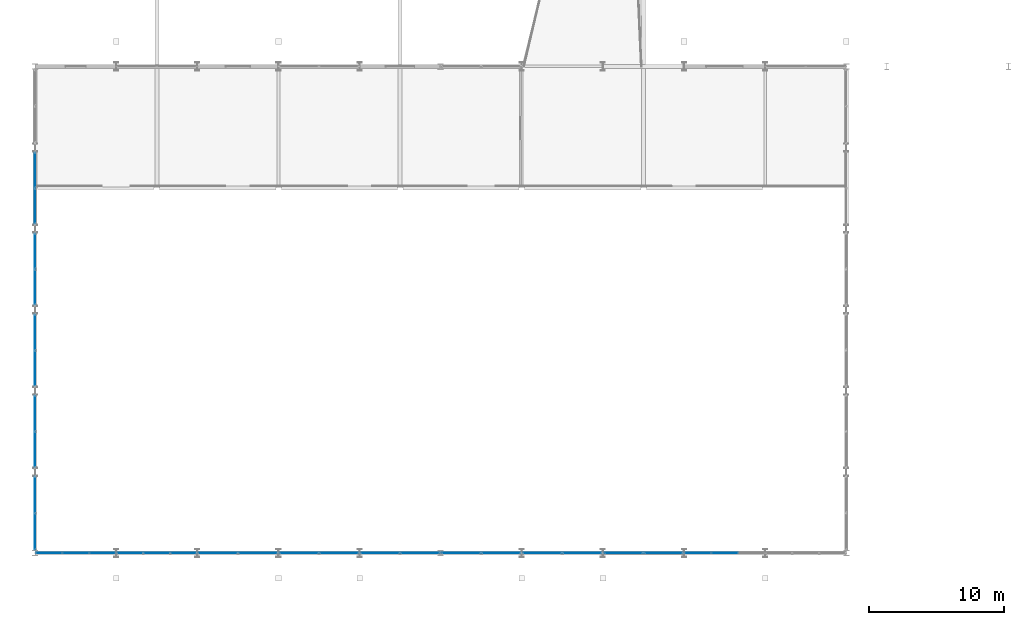
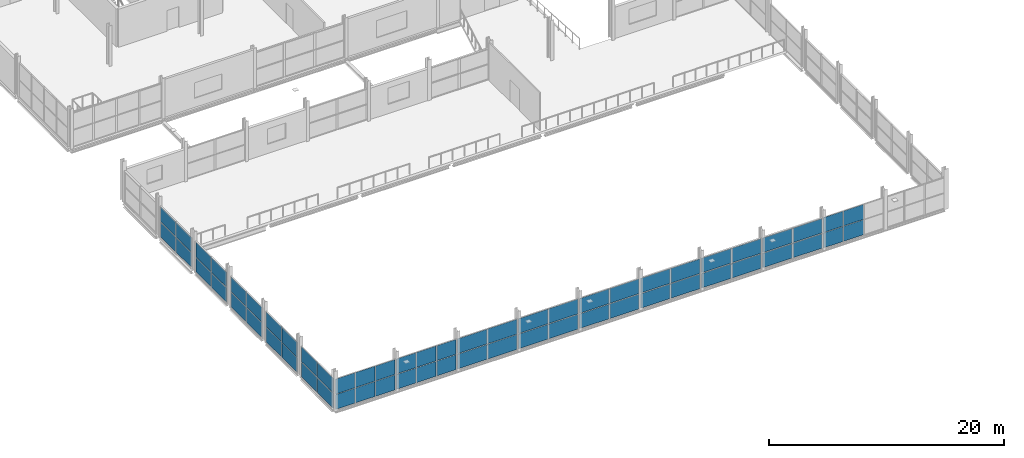
# One storey, part 101 of 135: 60 plates, 14 elements without a shape of their own.
"""IFC4 building model written with IfcOpenShell, lengths in metres."""

from ifc_helpers import new_model, si_unit, direction, frame, origin, origin_2d, place, context, subcontext, project, spatial, rectangle, extrude, material, layer, layer_set, type_object, element, aggregate, save


model = new_model("IFC4")

# Units and contexts
model_context = context("Model", 3, precision=1e-05, world=origin(), true_north=direction((0.0, 1.0)))
body_context = subcontext(model_context, "Body", "Model", "MODEL_VIEW")
ifc_project = project(units=[si_unit("LENGTHUNIT", "METRE"), si_unit("AREAUNIT", "SQUARE_METRE"), si_unit("VOLUMEUNIT", "CUBIC_METRE"), si_unit("PLANEANGLEUNIT", "RADIAN"), si_unit("MASSUNIT", "GRAM", prefix="KILO")], contexts=[model_context])

# Site, building, storey
site_placement = place(None, origin())
site = spatial("IfcSite", under=ifc_project, at=site_placement, CompositionType="ELEMENT")
building_placement = place(site_placement, origin())
building = spatial("IfcBuilding", under=site, at=building_placement, Name="Deido Ridge Mobility Hub", CompositionType="ELEMENT")
storey_placement = place(building_placement, frame((0.0, 0.0, 4.199951171875)))
storey = spatial("IfcBuildingStorey", under=building, at=storey_placement, Name="L01", CompositionType="ELEMENT", Elevation=4.199951171875)

# Curtain wall, plates
ifc_material_1 = material(Name="Anodised aluminium EN AW-6063 T6", Category="aluminium")
ifc_layer_1 = layer(ifc_material_1, 0.1650390625, Name="Anodised aluminium EN AW-6063 T6")
ifc_layer_set_1 = layer_set([ifc_layer_1], Name="Anodised aluminium EN AW-6063 T6")
curtain_wall_type_1 = type_object("IfcCurtainWallType", Name="CW-UF-1", PredefinedType="USERDEFINED", material=ifc_layer_set_1)
curtain_wall_1_placement = place(storey_placement, origin())
curtain_wall_1 = element("IfcCurtainWall", 1, at=curtain_wall_1_placement, inside=storey, type_object=curtain_wall_type_1, Name="Unitised curtain wall CW1", ObjectType="UNITISED FACADE", PredefinedType="USERDEFINED")
ifc_material_2 = material(Name="Laminated solar-control low-E glass", Category="glass")
ifc_layer_2 = layer(ifc_material_2, 0.02587890625, Name="Laminated solar-control low-E glass")
ifc_layer_set_2 = layer_set([ifc_layer_2], Name="Laminated solar-control low-E glass")
plate_type_1 = type_object("IfcPlateType", Name="PLT-CWP-26", PredefinedType="CURTAIN_PANEL", material=ifc_layer_set_2)
plate_1_placement = place(storey_placement, frame((1.021240234375, 0.0, 0.0498046875), z_axis=(0.0, 0.0, 1.0), x_axis=(1.0, 0.0, 0.0)))
plate_1 = element("IfcPlate", 2, at=plate_1_placement, type_object=plate_type_1, Name="CW1 panel 1.1", PredefinedType="CURTAIN_PANEL", context=body_context, shape_type="SweptSolid", body=[
    extrude(rectangle(XDim=1.91845703125, YDim=0.02587890625, at=origin_2d()), origin(), (0.0, 0.0, 1.0), 1.550048828125),
])
plate_2_placement = place(storey_placement, frame((1.021240234375, 0.0, 1.64990234375), z_axis=(0.0, 0.0, 1.0), x_axis=(1.0, 0.0, 0.0)))
plate_2 = element("IfcPlate", 3, at=plate_2_placement, type_object=plate_type_1, Name="CW1 panel 1.2", PredefinedType="CURTAIN_PANEL", context=body_context, shape_type="SweptSolid", body=[
    extrude(rectangle(XDim=1.91845703125, YDim=0.02587890625, at=origin_2d()), origin(), (0.0, 0.0, 1.0), 1.550048828125),
])
plate_3_placement = place(storey_placement, frame((3.002197265625, 0.0, 0.0498046875), z_axis=(0.0, 0.0, 1.0), x_axis=(1.0, 0.0, 0.0)))
plate_3 = element("IfcPlate", 4, at=plate_3_placement, type_object=plate_type_1, Name="CW1 panel 2.1", PredefinedType="CURTAIN_PANEL", context=body_context, shape_type="SweptSolid", body=[
    extrude(rectangle(XDim=1.943359375, YDim=0.02587890625, at=origin_2d()), origin(), (0.0, 0.0, 1.0), 1.550048828125),
])
plate_4_placement = place(storey_placement, frame((3.002197265625, 0.0, 1.64990234375), z_axis=(0.0, 0.0, 1.0), x_axis=(1.0, 0.0, 0.0)))
plate_4 = element("IfcPlate", 5, at=plate_4_placement, type_object=plate_type_1, Name="CW1 panel 2.2", PredefinedType="CURTAIN_PANEL", context=body_context, shape_type="SweptSolid", body=[
    extrude(rectangle(XDim=1.943359375, YDim=0.02587890625, at=origin_2d()), origin(), (0.0, 0.0, 1.0), 1.550048828125),
])
plate_5_placement = place(storey_placement, frame((4.983154296875, 0.0, 0.0498046875), z_axis=(0.0, 0.0, 1.0), x_axis=(1.0, 0.0, 0.0)))
plate_5 = element("IfcPlate", 6, at=plate_5_placement, type_object=plate_type_1, Name="CW1 panel 3.1", PredefinedType="CURTAIN_PANEL", context=body_context, shape_type="SweptSolid", body=[
    extrude(rectangle(XDim=1.91845703125, YDim=0.02587890625, at=origin_2d()), origin(), (0.0, 0.0, 1.0), 1.550048828125),
])
plate_6_placement = place(storey_placement, frame((4.983154296875, 0.0, 1.64990234375), z_axis=(0.0, 0.0, 1.0), x_axis=(1.0, 0.0, 0.0)))
plate_6 = element("IfcPlate", 7, at=plate_6_placement, type_object=plate_type_1, Name="CW1 panel 3.2", PredefinedType="CURTAIN_PANEL", context=body_context, shape_type="SweptSolid", body=[
    extrude(rectangle(XDim=1.91845703125, YDim=0.02587890625, at=origin_2d()), origin(), (0.0, 0.0, 1.0), 1.550048828125),
])
aggregate(curtain_wall_1, [plate_1, plate_2, plate_3, plate_4, plate_5, plate_6])

curtain_wall_2_placement = place(storey_placement, origin())
curtain_wall_2 = element("IfcCurtainWall", 8, at=curtain_wall_2_placement, inside=storey, type_object=curtain_wall_type_1, Name="Unitised curtain wall CW1", ObjectType="UNITISED FACADE", PredefinedType="USERDEFINED")
plate_7_placement = place(storey_placement, frame((49.017578125, 0.0, 0.0498046875), z_axis=(0.0, 0.0, 1.0), x_axis=(1.0, 0.0, 0.0)))
plate_7 = element("IfcPlate", 9, at=plate_7_placement, type_object=plate_type_1, Name="CW1 panel 1.1", PredefinedType="CURTAIN_PANEL", context=body_context, shape_type="SweptSolid", body=[
    extrude(rectangle(XDim=1.919921875, YDim=0.02587890625, at=origin_2d()), origin(), (0.0, 0.0, 1.0), 1.550048828125),
])
plate_8_placement = place(storey_placement, frame((49.017578125, 0.0, 1.64990234375), z_axis=(0.0, 0.0, 1.0), x_axis=(1.0, 0.0, 0.0)))
plate_8 = element("IfcPlate", 10, at=plate_8_placement, type_object=plate_type_1, Name="CW1 panel 1.2", PredefinedType="CURTAIN_PANEL", context=body_context, shape_type="SweptSolid", body=[
    extrude(rectangle(XDim=1.919921875, YDim=0.02587890625, at=origin_2d()), origin(), (0.0, 0.0, 1.0), 1.550048828125),
])
plate_9_placement = place(storey_placement, frame((51.0, 0.0, 0.0498046875), z_axis=(0.0, 0.0, 1.0), x_axis=(1.0, 0.0, 0.0)))
plate_9 = element("IfcPlate", 11, at=plate_9_placement, type_object=plate_type_1, Name="CW1 panel 2.1", PredefinedType="CURTAIN_PANEL", context=body_context, shape_type="SweptSolid", body=[
    extrude(rectangle(XDim=1.94482421875, YDim=0.02587890625, at=origin_2d()), origin(), (0.0, 0.0, 1.0), 1.550048828125),
])
plate_10_placement = place(storey_placement, frame((51.0, 0.0, 1.64990234375), z_axis=(0.0, 0.0, 1.0), x_axis=(1.0, 0.0, 0.0)))
plate_10 = element("IfcPlate", 12, at=plate_10_placement, type_object=plate_type_1, Name="CW1 panel 2.2", PredefinedType="CURTAIN_PANEL", context=body_context, shape_type="SweptSolid", body=[
    extrude(rectangle(XDim=1.94482421875, YDim=0.02587890625, at=origin_2d()), origin(), (0.0, 0.0, 1.0), 1.550048828125),
])
aggregate(curtain_wall_2, [plate_7, plate_8, plate_9, plate_10])

ifc_layer_3 = layer(ifc_material_1, 0.179931640625, Name="Anodised aluminium EN AW-6063 T6")
ifc_layer_set_3 = layer_set([ifc_layer_3], Name="Anodised aluminium EN AW-6063 T6")
curtain_wall_type_2 = type_object("IfcCurtainWallType", Name="CW-UF-2", PredefinedType="USERDEFINED", material=ifc_layer_set_3)
curtain_wall_3_placement = place(storey_placement, origin())
curtain_wall_3 = element("IfcCurtainWall", 13, at=curtain_wall_3_placement, inside=storey, type_object=curtain_wall_type_2, Name="Unitised curtain wall CW2", ObjectType="UNITISED FACADE", PredefinedType="USERDEFINED")
ifc_layer_4 = layer(ifc_material_2, 0.029052734375, Name="Laminated solar-control low-E glass")
ifc_layer_set_4 = layer_set([ifc_layer_4], Name="Laminated solar-control low-E glass")
plate_type_2 = type_object("IfcPlateType", Name="PLT-CWP-29", PredefinedType="CURTAIN_PANEL", material=ifc_layer_set_4)
plate_11_placement = place(storey_placement, frame((7.018798828125, 0.0, 0.05517578125), z_axis=(0.0, 0.0, 1.0), x_axis=(1.0, 0.0, 0.0)))
plate_11 = element("IfcPlate", 14, at=plate_11_placement, type_object=plate_type_2, Name="CW2 panel 1.1", PredefinedType="CURTAIN_PANEL", context=body_context, shape_type="SweptSolid", body=[
    extrude(rectangle(XDim=1.912353515625, YDim=0.029052734375, at=origin_2d()), origin(), (0.0, 0.0, 1.0), 1.54248046875),
])
plate_12_placement = place(storey_placement, frame((7.018798828125, 0.0, 1.652587890625), z_axis=(0.0, 0.0, 1.0), x_axis=(1.0, 0.0, 0.0)))
plate_12 = element("IfcPlate", 15, at=plate_12_placement, type_object=plate_type_2, Name="CW2 panel 1.2", PredefinedType="CURTAIN_PANEL", context=body_context, shape_type="SweptSolid", body=[
    extrude(rectangle(XDim=1.912353515625, YDim=0.029052734375, at=origin_2d()), origin(), (0.0, 0.0, 1.0), 1.54248046875),
])
plate_13_placement = place(storey_placement, frame((9.0, 0.0, 0.05517578125), z_axis=(0.0, 0.0, 1.0), x_axis=(1.0, 0.0, 0.0)))
plate_13 = element("IfcPlate", 16, at=plate_13_placement, type_object=plate_type_2, Name="CW2 panel 2.1", PredefinedType="CURTAIN_PANEL", context=body_context, shape_type="SweptSolid", body=[
    extrude(rectangle(XDim=1.93994140625, YDim=0.029052734375, at=origin_2d()), origin(), (0.0, 0.0, 1.0), 1.54248046875),
])
plate_14_placement = place(storey_placement, frame((9.0, 0.0, 1.652587890625), z_axis=(0.0, 0.0, 1.0), x_axis=(1.0, 0.0, 0.0)))
plate_14 = element("IfcPlate", 17, at=plate_14_placement, type_object=plate_type_2, Name="CW2 panel 2.2", PredefinedType="CURTAIN_PANEL", context=body_context, shape_type="SweptSolid", body=[
    extrude(rectangle(XDim=1.93994140625, YDim=0.029052734375, at=origin_2d()), origin(), (0.0, 0.0, 1.0), 1.54248046875),
])
plate_15_placement = place(storey_placement, frame((10.981201171875, 0.0, 0.05517578125), z_axis=(0.0, 0.0, 1.0), x_axis=(1.0, 0.0, 0.0)))
plate_15 = element("IfcPlate", 18, at=plate_15_placement, type_object=plate_type_2, Name="CW2 panel 3.1", PredefinedType="CURTAIN_PANEL", context=body_context, shape_type="SweptSolid", body=[
    extrude(rectangle(XDim=1.912353515625, YDim=0.029052734375, at=origin_2d()), origin(), (0.0, 0.0, 1.0), 1.54248046875),
])
plate_16_placement = place(storey_placement, frame((10.981201171875, 0.0, 1.652587890625), z_axis=(0.0, 0.0, 1.0), x_axis=(1.0, 0.0, 0.0)))
plate_16 = element("IfcPlate", 19, at=plate_16_placement, type_object=plate_type_2, Name="CW2 panel 3.2", PredefinedType="CURTAIN_PANEL", context=body_context, shape_type="SweptSolid", body=[
    extrude(rectangle(XDim=1.912353515625, YDim=0.029052734375, at=origin_2d()), origin(), (0.0, 0.0, 1.0), 1.54248046875),
])
aggregate(curtain_wall_3, [plate_11, plate_12, plate_13, plate_14, plate_15, plate_16])

ifc_layer_5 = layer(ifc_material_1, 0.195068359375, Name="Anodised aluminium EN AW-6063 T6")
ifc_layer_set_5 = layer_set([ifc_layer_5], Name="Anodised aluminium EN AW-6063 T6")
curtain_wall_type_3 = type_object("IfcCurtainWallType", Name="CW-UF-3", PredefinedType="USERDEFINED", material=ifc_layer_set_5)
curtain_wall_4_placement = place(storey_placement, origin())
curtain_wall_4 = element("IfcCurtainWall", 20, at=curtain_wall_4_placement, inside=storey, type_object=curtain_wall_type_3, Name="Unitised curtain wall CW3", ObjectType="UNITISED FACADE", PredefinedType="USERDEFINED")
ifc_layer_6 = layer(ifc_material_2, 0.031005859375, Name="Laminated solar-control low-E glass")
ifc_layer_set_6 = layer_set([ifc_layer_6], Name="Laminated solar-control low-E glass")
plate_type_3 = type_object("IfcPlateType", Name="PLT-CWP-31", PredefinedType="CURTAIN_PANEL", material=ifc_layer_set_6)
plate_17_placement = place(storey_placement, frame((13.518798828125, 0.0, 0.06005859375), z_axis=(0.0, 0.0, 1.0), x_axis=(1.0, 0.0, 0.0)))
plate_17 = element("IfcPlate", 21, at=plate_17_placement, type_object=plate_type_3, Name="CW3 panel 1.1", PredefinedType="CURTAIN_PANEL", context=body_context, shape_type="SweptSolid", body=[
    extrude(rectangle(XDim=2.90234375, YDim=0.031005859375, at=origin_2d()), origin(), (0.0, 0.0, 1.0), 1.534912109375),
])
plate_18_placement = place(storey_placement, frame((13.518798828125, 0.0, 1.6552734375), z_axis=(0.0, 0.0, 1.0), x_axis=(1.0, 0.0, 0.0)))
plate_18 = element("IfcPlate", 22, at=plate_18_placement, type_object=plate_type_3, Name="CW3 panel 1.2", PredefinedType="CURTAIN_PANEL", context=body_context, shape_type="SweptSolid", body=[
    extrude(rectangle(XDim=2.90234375, YDim=0.031005859375, at=origin_2d()), origin(), (0.0, 0.0, 1.0), 1.534912109375),
])
plate_19_placement = place(storey_placement, frame((16.48095703125, 0.0, 0.06005859375), z_axis=(0.0, 0.0, 1.0), x_axis=(1.0, 0.0, 0.0)))
plate_19 = element("IfcPlate", 23, at=plate_19_placement, type_object=plate_type_3, Name="CW3 panel 2.1", PredefinedType="CURTAIN_PANEL", context=body_context, shape_type="SweptSolid", body=[
    extrude(rectangle(XDim=2.90234375, YDim=0.031005859375, at=origin_2d()), origin(), (0.0, 0.0, 1.0), 1.534912109375),
])
plate_20_placement = place(storey_placement, frame((16.48095703125, 0.0, 1.6552734375), z_axis=(0.0, 0.0, 1.0), x_axis=(1.0, 0.0, 0.0)))
plate_20 = element("IfcPlate", 24, at=plate_20_placement, type_object=plate_type_3, Name="CW3 panel 2.2", PredefinedType="CURTAIN_PANEL", context=body_context, shape_type="SweptSolid", body=[
    extrude(rectangle(XDim=2.90234375, YDim=0.031005859375, at=origin_2d()), origin(), (0.0, 0.0, 1.0), 1.534912109375),
])
aggregate(curtain_wall_4, [plate_17, plate_18, plate_19, plate_20])

ifc_layer_7 = layer(ifc_material_1, 0.2099609375, Name="Anodised aluminium EN AW-6063 T6")
ifc_layer_set_7 = layer_set([ifc_layer_7], Name="Anodised aluminium EN AW-6063 T6")
curtain_wall_type_4 = type_object("IfcCurtainWallType", Name="CW-UF-4", PredefinedType="USERDEFINED", material=ifc_layer_set_7)
curtain_wall_5_placement = place(storey_placement, origin())
curtain_wall_5 = element("IfcCurtainWall", 25, at=curtain_wall_5_placement, inside=storey, type_object=curtain_wall_type_4, Name="Unitised curtain wall CW4", ObjectType="UNITISED FACADE", PredefinedType="USERDEFINED")
plate_21_placement = place(storey_placement, frame((0.0, 1.595947265625, 0.06005859375), z_axis=(0.0, 0.0, 1.0), x_axis=(0.0, 1.0, 0.0)))
plate_21 = element("IfcPlate", 26, at=plate_21_placement, type_object=plate_type_3, Name="CW4 panel 1.1", PredefinedType="CURTAIN_PANEL", context=body_context, shape_type="SweptSolid", body=[
    extrude(rectangle(XDim=2.656005859375, YDim=0.031005859375, at=origin_2d()), origin(), (0.0, 0.0, 1.0), 1.534912109375),
])
plate_22_placement = place(storey_placement, frame((0.0, 1.595947265625, 1.6552734375), z_axis=(0.0, 0.0, 1.0), x_axis=(0.0, 1.0, 0.0)))
plate_22 = element("IfcPlate", 27, at=plate_22_placement, type_object=plate_type_3, Name="CW4 panel 1.2", PredefinedType="CURTAIN_PANEL", context=body_context, shape_type="SweptSolid", body=[
    extrude(rectangle(XDim=2.656005859375, YDim=0.031005859375, at=origin_2d()), origin(), (0.0, 0.0, 1.0), 1.534912109375),
])
plate_23_placement = place(storey_placement, frame((0.0, 4.31201171875, 0.06005859375), z_axis=(0.0, 0.0, 1.0), x_axis=(0.0, 1.0, 0.0)))
plate_23 = element("IfcPlate", 28, at=plate_23_placement, type_object=plate_type_3, Name="CW4 panel 2.1", PredefinedType="CURTAIN_PANEL", context=body_context, shape_type="SweptSolid", body=[
    extrude(rectangle(XDim=2.656005859375, YDim=0.031005859375, at=origin_2d()), origin(), (0.0, 0.0, 1.0), 1.534912109375),
])
plate_24_placement = place(storey_placement, frame((0.0, 4.31201171875, 1.6552734375), z_axis=(0.0, 0.0, 1.0), x_axis=(0.0, 1.0, 0.0)))
plate_24 = element("IfcPlate", 29, at=plate_24_placement, type_object=plate_type_3, Name="CW4 panel 2.2", PredefinedType="CURTAIN_PANEL", context=body_context, shape_type="SweptSolid", body=[
    extrude(rectangle(XDim=2.656005859375, YDim=0.031005859375, at=origin_2d()), origin(), (0.0, 0.0, 1.0), 1.534912109375),
])
aggregate(curtain_wall_5, [plate_21, plate_22, plate_23, plate_24])

curtain_wall_6_placement = place(storey_placement, origin())
curtain_wall_6 = element("IfcCurtainWall", 30, at=curtain_wall_6_placement, inside=storey, type_object=curtain_wall_type_4, Name="Unitised curtain wall CW4", ObjectType="UNITISED FACADE", PredefinedType="USERDEFINED")
ifc_layer_8 = layer(ifc_material_2, 0.032958984375, Name="Laminated solar-control low-E glass")
ifc_layer_set_8 = layer_set([ifc_layer_8], Name="Laminated solar-control low-E glass")
plate_type_4 = type_object("IfcPlateType", Name="PLT-CWP-33", PredefinedType="CURTAIN_PANEL", material=ifc_layer_set_8)
plate_25_placement = place(storey_placement, frame((19.520263671875, 0.0, 0.06494140625), z_axis=(0.0, 0.0, 1.0), x_axis=(1.0, 0.0, 0.0)))
plate_25 = element("IfcPlate", 31, at=plate_25_placement, type_object=plate_type_4, Name="CW4 panel 1.1", PredefinedType="CURTAIN_PANEL", context=body_context, shape_type="SweptSolid", body=[
    extrude(rectangle(XDim=2.894775390625, YDim=0.032958984375, at=origin_2d()), origin(), (0.0, 0.0, 1.0), 1.527587890625),
])
plate_26_placement = place(storey_placement, frame((19.520263671875, 0.0, 1.65771484375), z_axis=(0.0, 0.0, 1.0), x_axis=(1.0, 0.0, 0.0)))
plate_26 = element("IfcPlate", 32, at=plate_26_placement, type_object=plate_type_4, Name="CW4 panel 1.2", PredefinedType="CURTAIN_PANEL", context=body_context, shape_type="SweptSolid", body=[
    extrude(rectangle(XDim=2.894775390625, YDim=0.032958984375, at=origin_2d()), origin(), (0.0, 0.0, 1.0), 1.527587890625),
])
plate_27_placement = place(storey_placement, frame((22.479736328125, 0.0, 0.06494140625), z_axis=(0.0, 0.0, 1.0), x_axis=(1.0, 0.0, 0.0)))
plate_27 = element("IfcPlate", 33, at=plate_27_placement, type_object=plate_type_4, Name="CW4 panel 2.1", PredefinedType="CURTAIN_PANEL", context=body_context, shape_type="SweptSolid", body=[
    extrude(rectangle(XDim=2.894775390625, YDim=0.032958984375, at=origin_2d()), origin(), (0.0, 0.0, 1.0), 1.527587890625),
])
plate_28_placement = place(storey_placement, frame((22.479736328125, 0.0, 1.65771484375), z_axis=(0.0, 0.0, 1.0), x_axis=(1.0, 0.0, 0.0)))
plate_28 = element("IfcPlate", 34, at=plate_28_placement, type_object=plate_type_4, Name="CW4 panel 2.2", PredefinedType="CURTAIN_PANEL", context=body_context, shape_type="SweptSolid", body=[
    extrude(rectangle(XDim=2.894775390625, YDim=0.032958984375, at=origin_2d()), origin(), (0.0, 0.0, 1.0), 1.527587890625),
])
aggregate(curtain_wall_6, [plate_25, plate_26, plate_27, plate_28])

ifc_layer_9 = layer(ifc_material_1, 0.22509765625, Name="Anodised aluminium EN AW-6063 T6")
ifc_layer_set_9 = layer_set([ifc_layer_9], Name="Anodised aluminium EN AW-6063 T6")
curtain_wall_type_5 = type_object("IfcCurtainWallType", Name="CW-UF-5", PredefinedType="USERDEFINED", material=ifc_layer_set_9)
curtain_wall_7_placement = place(storey_placement, origin())
curtain_wall_7 = element("IfcCurtainWall", 35, at=curtain_wall_7_placement, inside=storey, type_object=curtain_wall_type_5, Name="Unitised curtain wall CW5", ObjectType="UNITISED FACADE", PredefinedType="USERDEFINED")
plate_29_placement = place(storey_placement, frame((0.0, 7.666259765625, 0.06494140625), z_axis=(0.0, 0.0, 1.0), x_axis=(0.0, 1.0, 0.0)))
plate_29 = element("IfcPlate", 36, at=plate_29_placement, type_object=plate_type_4, Name="CW5 panel 1.1", PredefinedType="CURTAIN_PANEL", context=body_context, shape_type="SweptSolid", body=[
    extrude(rectangle(XDim=2.6025390625, YDim=0.032958984375, at=origin_2d()), origin(), (0.0, 0.0, 1.0), 1.527587890625),
])
plate_30_placement = place(storey_placement, frame((0.0, 7.666259765625, 1.65771484375), z_axis=(0.0, 0.0, 1.0), x_axis=(0.0, 1.0, 0.0)))
plate_30 = element("IfcPlate", 37, at=plate_30_placement, type_object=plate_type_4, Name="CW5 panel 1.2", PredefinedType="CURTAIN_PANEL", context=body_context, shape_type="SweptSolid", body=[
    extrude(rectangle(XDim=2.6025390625, YDim=0.032958984375, at=origin_2d()), origin(), (0.0, 0.0, 1.0), 1.527587890625),
])
plate_31_placement = place(storey_placement, frame((0.0, 10.333740234375, 0.06494140625), z_axis=(0.0, 0.0, 1.0), x_axis=(0.0, 1.0, 0.0)))
plate_31 = element("IfcPlate", 38, at=plate_31_placement, type_object=plate_type_4, Name="CW5 panel 2.1", PredefinedType="CURTAIN_PANEL", context=body_context, shape_type="SweptSolid", body=[
    extrude(rectangle(XDim=2.6025390625, YDim=0.032958984375, at=origin_2d()), origin(), (0.0, 0.0, 1.0), 1.527587890625),
])
plate_32_placement = place(storey_placement, frame((0.0, 10.333740234375, 1.65771484375), z_axis=(0.0, 0.0, 1.0), x_axis=(0.0, 1.0, 0.0)))
plate_32 = element("IfcPlate", 39, at=plate_32_placement, type_object=plate_type_4, Name="CW5 panel 2.2", PredefinedType="CURTAIN_PANEL", context=body_context, shape_type="SweptSolid", body=[
    extrude(rectangle(XDim=2.6025390625, YDim=0.032958984375, at=origin_2d()), origin(), (0.0, 0.0, 1.0), 1.527587890625),
])
aggregate(curtain_wall_7, [plate_29, plate_30, plate_31, plate_32])

curtain_wall_8_placement = place(storey_placement, origin())
curtain_wall_8 = element("IfcCurtainWall", 40, at=curtain_wall_8_placement, inside=storey, type_object=curtain_wall_type_5, Name="Unitised curtain wall CW5", ObjectType="UNITISED FACADE", PredefinedType="USERDEFINED")
ifc_layer_10 = layer(ifc_material_2, 0.034912109375, Name="Laminated solar-control low-E glass")
ifc_layer_set_10 = layer_set([ifc_layer_10], Name="Laminated solar-control low-E glass")
plate_type_5 = type_object("IfcPlateType", Name="PLT-CWP-35", PredefinedType="CURTAIN_PANEL", material=ifc_layer_set_10)
plate_33_placement = place(storey_placement, frame((25.520263671875, 0.0, 0.070068359375), z_axis=(0.0, 0.0, 1.0), x_axis=(1.0, 0.0, 0.0)))
plate_33 = element("IfcPlate", 41, at=plate_33_placement, type_object=plate_type_5, Name="CW5 panel 1.1", PredefinedType="CURTAIN_PANEL", context=body_context, shape_type="SweptSolid", body=[
    extrude(rectangle(XDim=2.885009765625, YDim=0.034912109375, at=origin_2d()), origin(), (0.0, 0.0, 1.0), 1.52001953125),
])
plate_34_placement = place(storey_placement, frame((25.520263671875, 0.0, 1.66015625), z_axis=(0.0, 0.0, 1.0), x_axis=(1.0, 0.0, 0.0)))
plate_34 = element("IfcPlate", 42, at=plate_34_placement, type_object=plate_type_5, Name="CW5 panel 1.2", PredefinedType="CURTAIN_PANEL", context=body_context, shape_type="SweptSolid", body=[
    extrude(rectangle(XDim=2.885009765625, YDim=0.034912109375, at=origin_2d()), origin(), (0.0, 0.0, 1.0), 1.52001953125),
])
plate_35_placement = place(storey_placement, frame((28.475341796875, 0.0, 0.070068359375), z_axis=(0.0, 0.0, 1.0), x_axis=(1.0, 0.0, 0.0)))
plate_35 = element("IfcPlate", 43, at=plate_35_placement, type_object=plate_type_5, Name="CW5 panel 2.1", PredefinedType="CURTAIN_PANEL", context=body_context, shape_type="SweptSolid", body=[
    extrude(rectangle(XDim=2.885009765625, YDim=0.034912109375, at=origin_2d()), origin(), (0.0, 0.0, 1.0), 1.52001953125),
])
plate_36_placement = place(storey_placement, frame((28.475341796875, 0.0, 1.66015625), z_axis=(0.0, 0.0, 1.0), x_axis=(1.0, 0.0, 0.0)))
plate_36 = element("IfcPlate", 44, at=plate_36_placement, type_object=plate_type_5, Name="CW5 panel 2.2", PredefinedType="CURTAIN_PANEL", context=body_context, shape_type="SweptSolid", body=[
    extrude(rectangle(XDim=2.885009765625, YDim=0.034912109375, at=origin_2d()), origin(), (0.0, 0.0, 1.0), 1.52001953125),
])
aggregate(curtain_wall_8, [plate_33, plate_34, plate_35, plate_36])

ifc_layer_11 = layer(ifc_material_1, 0.239990234375, Name="Anodised aluminium EN AW-6063 T6")
ifc_layer_set_11 = layer_set([ifc_layer_11], Name="Anodised aluminium EN AW-6063 T6")
curtain_wall_type_6 = type_object("IfcCurtainWallType", Name="CW-UF-6", PredefinedType="USERDEFINED", material=ifc_layer_set_11)
curtain_wall_9_placement = place(storey_placement, origin())
curtain_wall_9 = element("IfcCurtainWall", 45, at=curtain_wall_9_placement, inside=storey, type_object=curtain_wall_type_6, Name="Unitised curtain wall CW6", ObjectType="UNITISED FACADE", PredefinedType="USERDEFINED")
plate_37_placement = place(storey_placement, frame((0.0, 13.66748046875, 0.070068359375), z_axis=(0.0, 0.0, 1.0), x_axis=(0.0, 1.0, 0.0)))
plate_37 = element("IfcPlate", 46, at=plate_37_placement, type_object=plate_type_5, Name="CW6 panel 1.1", PredefinedType="CURTAIN_PANEL", context=body_context, shape_type="SweptSolid", body=[
    extrude(rectangle(XDim=2.594970703125, YDim=0.034912109375, at=origin_2d()), origin(), (0.0, 0.0, 1.0), 1.52001953125),
])
plate_38_placement = place(storey_placement, frame((0.0, 13.66748046875, 1.66015625), z_axis=(0.0, 0.0, 1.0), x_axis=(0.0, 1.0, 0.0)))
plate_38 = element("IfcPlate", 47, at=plate_38_placement, type_object=plate_type_5, Name="CW6 panel 1.2", PredefinedType="CURTAIN_PANEL", context=body_context, shape_type="SweptSolid", body=[
    extrude(rectangle(XDim=2.594970703125, YDim=0.034912109375, at=origin_2d()), origin(), (0.0, 0.0, 1.0), 1.52001953125),
])
plate_39_placement = place(storey_placement, frame((0.0, 16.33251953125, 0.070068359375), z_axis=(0.0, 0.0, 1.0), x_axis=(0.0, 1.0, 0.0)))
plate_39 = element("IfcPlate", 48, at=plate_39_placement, type_object=plate_type_5, Name="CW6 panel 2.1", PredefinedType="CURTAIN_PANEL", context=body_context, shape_type="SweptSolid", body=[
    extrude(rectangle(XDim=2.594970703125, YDim=0.034912109375, at=origin_2d()), origin(), (0.0, 0.0, 1.0), 1.52001953125),
])
plate_40_placement = place(storey_placement, frame((0.0, 16.33251953125, 1.66015625), z_axis=(0.0, 0.0, 1.0), x_axis=(0.0, 1.0, 0.0)))
plate_40 = element("IfcPlate", 49, at=plate_40_placement, type_object=plate_type_5, Name="CW6 panel 2.2", PredefinedType="CURTAIN_PANEL", context=body_context, shape_type="SweptSolid", body=[
    extrude(rectangle(XDim=2.594970703125, YDim=0.034912109375, at=origin_2d()), origin(), (0.0, 0.0, 1.0), 1.52001953125),
])
aggregate(curtain_wall_9, [plate_37, plate_38, plate_39, plate_40])

curtain_wall_10_placement = place(storey_placement, origin())
curtain_wall_10 = element("IfcCurtainWall", 50, at=curtain_wall_10_placement, inside=storey, type_object=curtain_wall_type_6, Name="Unitised curtain wall CW6", ObjectType="UNITISED FACADE", PredefinedType="USERDEFINED")
ifc_layer_12 = layer(ifc_material_2, 0.037109375, Name="Laminated solar-control low-E glass")
ifc_layer_set_12 = layer_set([ifc_layer_12], Name="Laminated solar-control low-E glass")
plate_type_6 = type_object("IfcPlateType", Name="PLT-CWP-37", PredefinedType="CURTAIN_PANEL", material=ifc_layer_set_12)
plate_41_placement = place(storey_placement, frame((31.52587890625, 0.0, 0.0751953125), z_axis=(0.0, 0.0, 1.0), x_axis=(1.0, 0.0, 0.0)))
plate_41 = element("IfcPlate", 51, at=plate_41_placement, type_object=plate_type_6, Name="CW6 panel 1.1", PredefinedType="CURTAIN_PANEL", context=body_context, shape_type="SweptSolid", body=[
    extrude(rectangle(XDim=2.877685546875, YDim=0.037109375, at=origin_2d()), origin(), (0.0, 0.0, 1.0), 1.512451171875),
])
plate_42_placement = place(storey_placement, frame((31.52587890625, 0.0, 1.66259765625), z_axis=(0.0, 0.0, 1.0), x_axis=(1.0, 0.0, 0.0)))
plate_42 = element("IfcPlate", 52, at=plate_42_placement, type_object=plate_type_6, Name="CW6 panel 1.2", PredefinedType="CURTAIN_PANEL", context=body_context, shape_type="SweptSolid", body=[
    extrude(rectangle(XDim=2.877685546875, YDim=0.037109375, at=origin_2d()), origin(), (0.0, 0.0, 1.0), 1.512451171875),
])
plate_43_placement = place(storey_placement, frame((34.478515625, 0.0, 0.0751953125), z_axis=(0.0, 0.0, 1.0), x_axis=(1.0, 0.0, 0.0)))
plate_43 = element("IfcPlate", 53, at=plate_43_placement, type_object=plate_type_6, Name="CW6 panel 2.1", PredefinedType="CURTAIN_PANEL", context=body_context, shape_type="SweptSolid", body=[
    extrude(rectangle(XDim=2.877685546875, YDim=0.037109375, at=origin_2d()), origin(), (0.0, 0.0, 1.0), 1.512451171875),
])
plate_44_placement = place(storey_placement, frame((34.478515625, 0.0, 1.66259765625), z_axis=(0.0, 0.0, 1.0), x_axis=(1.0, 0.0, 0.0)))
plate_44 = element("IfcPlate", 54, at=plate_44_placement, type_object=plate_type_6, Name="CW6 panel 2.2", PredefinedType="CURTAIN_PANEL", context=body_context, shape_type="SweptSolid", body=[
    extrude(rectangle(XDim=2.877685546875, YDim=0.037109375, at=origin_2d()), origin(), (0.0, 0.0, 1.0), 1.512451171875),
])
aggregate(curtain_wall_10, [plate_41, plate_42, plate_43, plate_44])

ifc_layer_13 = layer(ifc_material_1, 0.2548828125, Name="Anodised aluminium EN AW-6063 T6")
ifc_layer_set_13 = layer_set([ifc_layer_13], Name="Anodised aluminium EN AW-6063 T6")
curtain_wall_type_7 = type_object("IfcCurtainWallType", Name="CW-UF-7", PredefinedType="USERDEFINED", material=ifc_layer_set_13)
curtain_wall_11_placement = place(storey_placement, origin())
curtain_wall_11 = element("IfcCurtainWall", 55, at=curtain_wall_11_placement, inside=storey, type_object=curtain_wall_type_7, Name="Unitised curtain wall CW7", ObjectType="UNITISED FACADE", PredefinedType="USERDEFINED")
plate_45_placement = place(storey_placement, frame((0.0, 19.668701171875, 0.0751953125), z_axis=(0.0, 0.0, 1.0), x_axis=(0.0, 1.0, 0.0)))
plate_45 = element("IfcPlate", 56, at=plate_45_placement, type_object=plate_type_6, Name="CW7 panel 1.1", PredefinedType="CURTAIN_PANEL", context=body_context, shape_type="SweptSolid", body=[
    extrude(rectangle(XDim=2.58740234375, YDim=0.037109375, at=origin_2d()), origin(), (0.0, 0.0, 1.0), 1.512451171875),
])
plate_46_placement = place(storey_placement, frame((0.0, 19.668701171875, 1.66259765625), z_axis=(0.0, 0.0, 1.0), x_axis=(0.0, 1.0, 0.0)))
plate_46 = element("IfcPlate", 57, at=plate_46_placement, type_object=plate_type_6, Name="CW7 panel 1.2", PredefinedType="CURTAIN_PANEL", context=body_context, shape_type="SweptSolid", body=[
    extrude(rectangle(XDim=2.58740234375, YDim=0.037109375, at=origin_2d()), origin(), (0.0, 0.0, 1.0), 1.512451171875),
])
plate_47_placement = place(storey_placement, frame((0.0, 22.331298828125, 0.0751953125), z_axis=(0.0, 0.0, 1.0), x_axis=(0.0, 1.0, 0.0)))
plate_47 = element("IfcPlate", 58, at=plate_47_placement, type_object=plate_type_6, Name="CW7 panel 2.1", PredefinedType="CURTAIN_PANEL", context=body_context, shape_type="SweptSolid", body=[
    extrude(rectangle(XDim=2.58740234375, YDim=0.037109375, at=origin_2d()), origin(), (0.0, 0.0, 1.0), 1.512451171875),
])
plate_48_placement = place(storey_placement, frame((0.0, 22.331298828125, 1.66259765625), z_axis=(0.0, 0.0, 1.0), x_axis=(0.0, 1.0, 0.0)))
plate_48 = element("IfcPlate", 59, at=plate_48_placement, type_object=plate_type_6, Name="CW7 panel 2.2", PredefinedType="CURTAIN_PANEL", context=body_context, shape_type="SweptSolid", body=[
    extrude(rectangle(XDim=2.58740234375, YDim=0.037109375, at=origin_2d()), origin(), (0.0, 0.0, 1.0), 1.512451171875),
])
aggregate(curtain_wall_11, [plate_45, plate_46, plate_47, plate_48])

curtain_wall_12_placement = place(storey_placement, origin())
curtain_wall_12 = element("IfcCurtainWall", 60, at=curtain_wall_12_placement, inside=storey, type_object=curtain_wall_type_7, Name="Unitised curtain wall CW7", ObjectType="UNITISED FACADE", PredefinedType="USERDEFINED")
ifc_layer_14 = layer(ifc_material_2, 0.0390625, Name="Laminated solar-control low-E glass")
ifc_layer_set_14 = layer_set([ifc_layer_14], Name="Laminated solar-control low-E glass")
plate_type_7 = type_object("IfcPlateType", Name="PLT-CWP-39", PredefinedType="CURTAIN_PANEL", material=ifc_layer_set_14)
plate_49_placement = place(storey_placement, frame((37.52392578125, 0.0, 0.080078125), z_axis=(0.0, 0.0, 1.0), x_axis=(1.0, 0.0, 0.0)))
plate_49 = element("IfcPlate", 61, at=plate_49_placement, type_object=plate_type_7, Name="CW7 panel 1.1", PredefinedType="CURTAIN_PANEL", context=body_context, shape_type="SweptSolid", body=[
    extrude(rectangle(XDim=2.872314453125, YDim=0.0390625, at=origin_2d()), origin(), (0.0, 0.0, 1.0), 1.5048828125),
])
plate_50_placement = place(storey_placement, frame((37.52392578125, 0.0, 1.6650390625), z_axis=(0.0, 0.0, 1.0), x_axis=(1.0, 0.0, 0.0)))
plate_50 = element("IfcPlate", 62, at=plate_50_placement, type_object=plate_type_7, Name="CW7 panel 1.2", PredefinedType="CURTAIN_PANEL", context=body_context, shape_type="SweptSolid", body=[
    extrude(rectangle(XDim=2.872314453125, YDim=0.0390625, at=origin_2d()), origin(), (0.0, 0.0, 1.0), 1.5048828125),
])
plate_51_placement = place(storey_placement, frame((40.47607421875, 0.0, 0.080078125), z_axis=(0.0, 0.0, 1.0), x_axis=(1.0, 0.0, 0.0)))
plate_51 = element("IfcPlate", 63, at=plate_51_placement, type_object=plate_type_7, Name="CW7 panel 2.1", PredefinedType="CURTAIN_PANEL", context=body_context, shape_type="SweptSolid", body=[
    extrude(rectangle(XDim=2.872314453125, YDim=0.0390625, at=origin_2d()), origin(), (0.0, 0.0, 1.0), 1.5048828125),
])
plate_52_placement = place(storey_placement, frame((40.47607421875, 0.0, 1.6650390625), z_axis=(0.0, 0.0, 1.0), x_axis=(1.0, 0.0, 0.0)))
plate_52 = element("IfcPlate", 64, at=plate_52_placement, type_object=plate_type_7, Name="CW7 panel 2.2", PredefinedType="CURTAIN_PANEL", context=body_context, shape_type="SweptSolid", body=[
    extrude(rectangle(XDim=2.872314453125, YDim=0.0390625, at=origin_2d()), origin(), (0.0, 0.0, 1.0), 1.5048828125),
])
aggregate(curtain_wall_12, [plate_49, plate_50, plate_51, plate_52])

ifc_layer_15 = layer(ifc_material_1, 0.27001953125, Name="Anodised aluminium EN AW-6063 T6")
ifc_layer_set_15 = layer_set([ifc_layer_15], Name="Anodised aluminium EN AW-6063 T6")
curtain_wall_type_8 = type_object("IfcCurtainWallType", Name="CW-UF-8", PredefinedType="USERDEFINED", material=ifc_layer_set_15)
curtain_wall_13_placement = place(storey_placement, origin())
curtain_wall_13 = element("IfcCurtainWall", 65, at=curtain_wall_13_placement, inside=storey, type_object=curtain_wall_type_8, Name="Unitised curtain wall CW8", ObjectType="UNITISED FACADE", PredefinedType="USERDEFINED")
plate_53_placement = place(storey_placement, frame((0.0, 25.669921875, 0.080078125), z_axis=(0.0, 0.0, 1.0), x_axis=(0.0, 1.0, 0.0)))
plate_53 = element("IfcPlate", 66, at=plate_53_placement, type_object=plate_type_7, Name="CW8 panel 1.1", PredefinedType="CURTAIN_PANEL", context=body_context, shape_type="SweptSolid", body=[
    extrude(rectangle(XDim=2.580078125, YDim=0.0390625, at=origin_2d()), origin(), (0.0, 0.0, 1.0), 1.5048828125),
])
plate_54_placement = place(storey_placement, frame((0.0, 25.669921875, 1.6650390625), z_axis=(0.0, 0.0, 1.0), x_axis=(0.0, 1.0, 0.0)))
plate_54 = element("IfcPlate", 67, at=plate_54_placement, type_object=plate_type_7, Name="CW8 panel 1.2", PredefinedType="CURTAIN_PANEL", context=body_context, shape_type="SweptSolid", body=[
    extrude(rectangle(XDim=2.580078125, YDim=0.0390625, at=origin_2d()), origin(), (0.0, 0.0, 1.0), 1.5048828125),
])
plate_55_placement = place(storey_placement, frame((0.0, 28.330078125, 0.080078125), z_axis=(0.0, 0.0, 1.0), x_axis=(0.0, 1.0, 0.0)))
plate_55 = element("IfcPlate", 68, at=plate_55_placement, type_object=plate_type_7, Name="CW8 panel 2.1", PredefinedType="CURTAIN_PANEL", context=body_context, shape_type="SweptSolid", body=[
    extrude(rectangle(XDim=2.580078125, YDim=0.0390625, at=origin_2d()), origin(), (0.0, 0.0, 1.0), 1.5048828125),
])
plate_56_placement = place(storey_placement, frame((0.0, 28.330078125, 1.6650390625), z_axis=(0.0, 0.0, 1.0), x_axis=(0.0, 1.0, 0.0)))
plate_56 = element("IfcPlate", 69, at=plate_56_placement, type_object=plate_type_7, Name="CW8 panel 2.2", PredefinedType="CURTAIN_PANEL", context=body_context, shape_type="SweptSolid", body=[
    extrude(rectangle(XDim=2.580078125, YDim=0.0390625, at=origin_2d()), origin(), (0.0, 0.0, 1.0), 1.5048828125),
])
aggregate(curtain_wall_13, [plate_53, plate_54, plate_55, plate_56])

curtain_wall_14_placement = place(storey_placement, origin())
curtain_wall_14 = element("IfcCurtainWall", 70, at=curtain_wall_14_placement, inside=storey, type_object=curtain_wall_type_8, Name="Unitised curtain wall CW8", ObjectType="UNITISED FACADE", PredefinedType="USERDEFINED")
ifc_layer_16 = layer(ifc_material_2, 0.041015625, Name="Laminated solar-control low-E glass")
ifc_layer_set_16 = layer_set([ifc_layer_16], Name="Laminated solar-control low-E glass")
plate_type_8 = type_object("IfcPlateType", Name="PLT-CWP-41", PredefinedType="CURTAIN_PANEL", material=ifc_layer_set_16)
plate_57_placement = place(storey_placement, frame((43.525146484375, 0.0, 0.0849609375), z_axis=(0.0, 0.0, 1.0), x_axis=(1.0, 0.0, 0.0)))
plate_57 = element("IfcPlate", 71, at=plate_57_placement, type_object=plate_type_8, Name="CW8 panel 1.1", PredefinedType="CURTAIN_PANEL", context=body_context, shape_type="SweptSolid", body=[
    extrude(rectangle(XDim=2.86474609375, YDim=0.041015625, at=origin_2d()), origin(), (0.0, 0.0, 1.0), 1.49755859375),
])
plate_58_placement = place(storey_placement, frame((43.525146484375, 0.0, 1.66748046875), z_axis=(0.0, 0.0, 1.0), x_axis=(1.0, 0.0, 0.0)))
plate_58 = element("IfcPlate", 72, at=plate_58_placement, type_object=plate_type_8, Name="CW8 panel 1.2", PredefinedType="CURTAIN_PANEL", context=body_context, shape_type="SweptSolid", body=[
    extrude(rectangle(XDim=2.86474609375, YDim=0.041015625, at=origin_2d()), origin(), (0.0, 0.0, 1.0), 1.49755859375),
])
plate_59_placement = place(storey_placement, frame((46.474853515625, 0.0, 0.0849609375), z_axis=(0.0, 0.0, 1.0), x_axis=(1.0, 0.0, 0.0)))
plate_59 = element("IfcPlate", 73, at=plate_59_placement, type_object=plate_type_8, Name="CW8 panel 2.1", PredefinedType="CURTAIN_PANEL", context=body_context, shape_type="SweptSolid", body=[
    extrude(rectangle(XDim=2.86474609375, YDim=0.041015625, at=origin_2d()), origin(), (0.0, 0.0, 1.0), 1.49755859375),
])
plate_60_placement = place(storey_placement, frame((46.474853515625, 0.0, 1.66748046875), z_axis=(0.0, 0.0, 1.0), x_axis=(1.0, 0.0, 0.0)))
plate_60 = element("IfcPlate", 74, at=plate_60_placement, type_object=plate_type_8, Name="CW8 panel 2.2", PredefinedType="CURTAIN_PANEL", context=body_context, shape_type="SweptSolid", body=[
    extrude(rectangle(XDim=2.86474609375, YDim=0.041015625, at=origin_2d()), origin(), (0.0, 0.0, 1.0), 1.49755859375),
])
aggregate(curtain_wall_14, [plate_57, plate_58, plate_59, plate_60])

save(model, "model.ifc")
